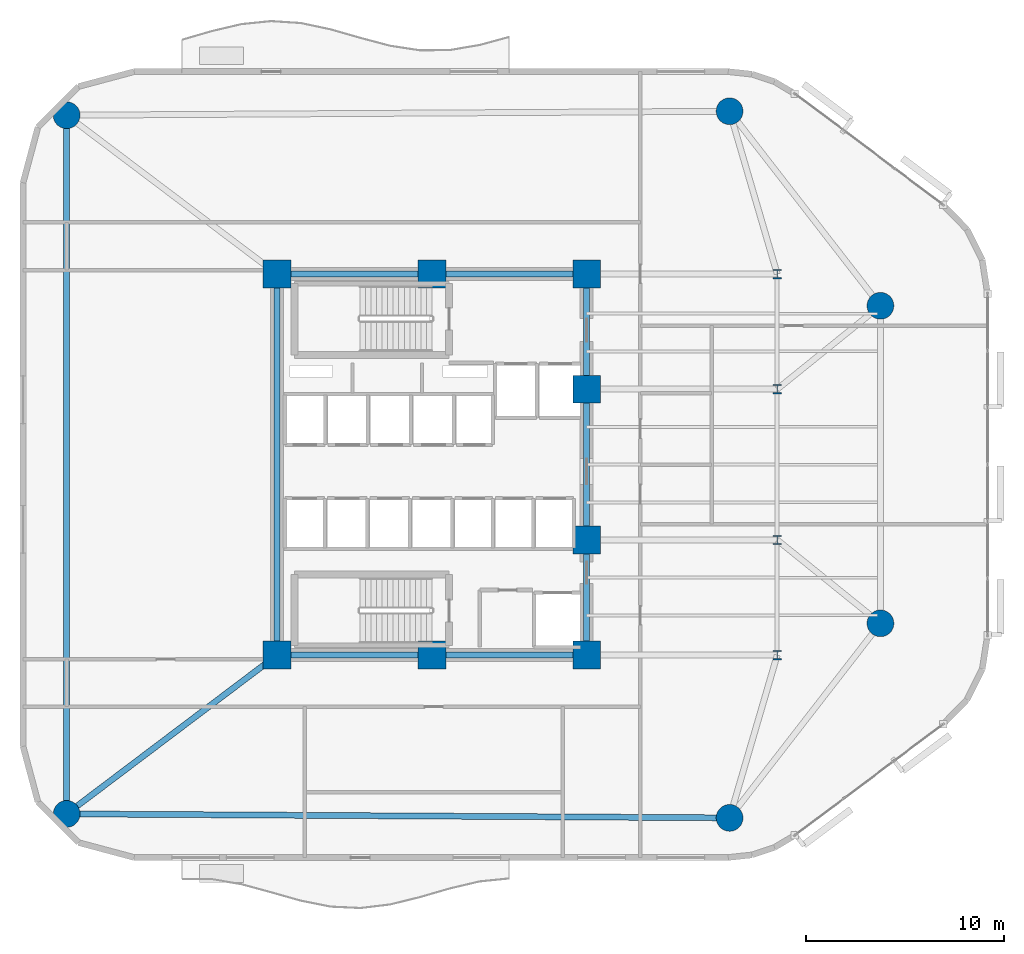
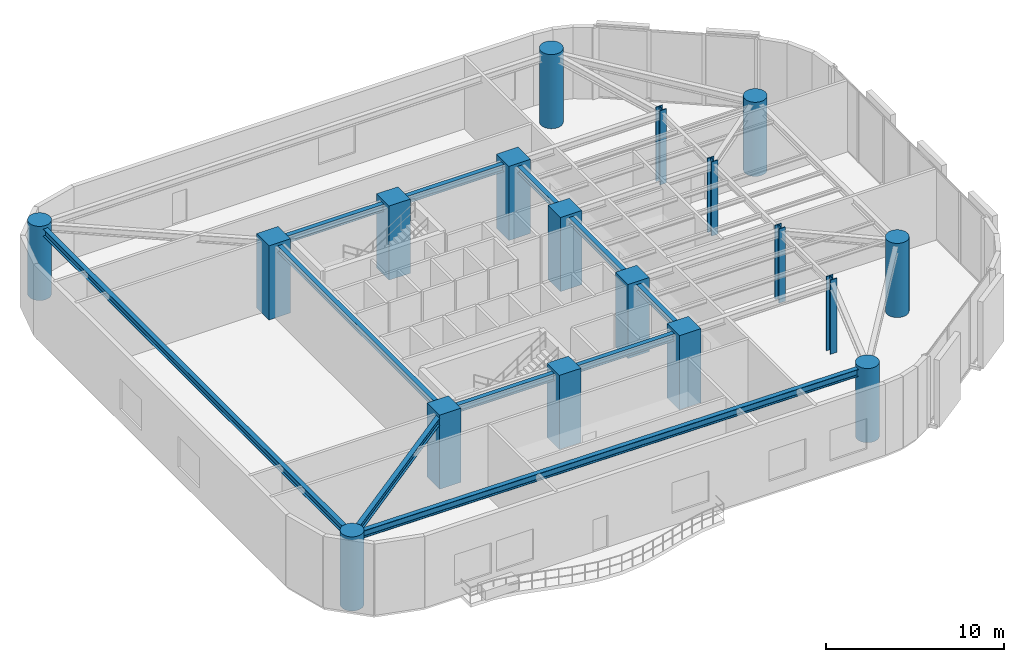
# One storey, part 1 of 14: 18 columns, 9 beams.
"""IFC4 building model written with IfcOpenShell, lengths in metres."""

from ifc_helpers import new_model, si_unit, direction, frame, origin, origin_2d, place, context, subcontext, project, spatial, rectangle, circle, i_section, extrude, material, material_profile, profile_set, type_object, element, save


model = new_model("IFC4")

# Units and contexts
model_context = context("Model", 3, precision=1e-05, world=origin(), true_north=direction((0.0, 1.0)))
body_context = subcontext(model_context, "Body", "Model", "MODEL_VIEW")
ifc_project = project(units=[si_unit("LENGTHUNIT", "METRE"), si_unit("AREAUNIT", "SQUARE_METRE"), si_unit("VOLUMEUNIT", "CUBIC_METRE"), si_unit("PLANEANGLEUNIT", "RADIAN"), si_unit("MASSUNIT", "GRAM", prefix="KILO")], contexts=[model_context])

# Site, building, storey
site_placement = place(None, origin())
site = spatial("IfcSite", under=ifc_project, at=site_placement, CompositionType="ELEMENT")
building_placement = place(site_placement, origin())
building = spatial("IfcBuilding", under=site, at=building_placement, Name="An Khanh Terracotta Commons", CompositionType="ELEMENT")
storey_placement = place(building_placement, frame((0.0, 0.0, 81.199951171875)))
storey = spatial("IfcBuildingStorey", under=building, at=storey_placement, Name="L21", CompositionType="ELEMENT", Elevation=81.199951171875)

# Columns
ifc_material_1 = material(Name="Concrete C70/85", Category="concrete")
ifc_material_profile_1 = material_profile(ifc_material_1, circle(Radius=0.675048828125, at=origin_2d()), Name="CFST1350")
ifc_profile_set_1 = profile_set([ifc_material_profile_1], Name="Concrete C70/85")
column_type_1 = type_object("IfcColumnType", Name="COL-CFST1350", PredefinedType="COLUMN", material=ifc_profile_set_1)
for number, where, z_axis, x_axis, name in (
    (1, (11.0, 6.39990234375, 0.0), (0.0, 0.0, 1.0), (1.0, 0.0, 0.0), "L21 Perimeter CFST Mega-Column MC-01"),
    (2, (44.39990234375, 6.199951171875, 0.0), (0.0, 0.0, 1.0), (1.0, 0.0, 0.0), "L21 Perimeter CFST Mega-Column MC-02"),
    (3, (52.0, 16.0, 0.0), (0.0, 0.0, 1.0), (1.0, 0.0, 0.0), "L21 Perimeter CFST Mega-Column MC-03"),
    (4, (52.0, 32.0, 0.0), (0.0, 0.0, 1.0), (1.0, 0.0, 0.0), "L21 Perimeter CFST Mega-Column MC-04"),
    (5, (44.39990234375, 41.800048828125, 0.0), (0.0, 0.0, 1.0), (1.0, 0.0, 0.0), "L21 Perimeter CFST Mega-Column MC-05"),
    (6, (11.0, 41.60009765625, 0.0), (0.0, 0.0, 1.0), (1.0, 0.0, 0.0), "L21 Perimeter CFST Mega-Column MC-06"),
):
    element("IfcColumn", number, at=place(storey_placement, frame(where, z_axis=z_axis, x_axis=x_axis)), inside=storey, type_object=column_type_1, Name=name, PredefinedType="COLUMN", context=body_context, shape_type="SweptSolid", body=[
        extrude(circle(Radius=0.675048828125, at=origin_2d()), origin(), (0.0, 0.0, 1.0), 5.10009765625),
    ])
ifc_material_2 = material(Name="Steel S460ML", Category="steel")
ifc_material_profile_2 = material_profile(ifc_material_2, i_section(OverallWidth=0.4169921875, OverallDepth=0.47705078125, WebThickness=0.035888671875, FlangeThickness=0.057373046875, FilletRadius=0.014892578125, at=origin_2d()), Name="HD400x463")
ifc_profile_set_2 = profile_set([ifc_material_profile_2], Name="Steel S460ML")
column_type_2 = type_object("IfcColumnType", Name="COL-HD400x463", PredefinedType="COLUMN", material=ifc_profile_set_2)
for number, where, z_axis, x_axis, name in (
    (7, (46.800048828125, 14.39990234375, 0.0), (0.0, 0.0, 1.0), (1.0, 0.0, 0.0), "L21 Interior Frame Column TC-01"),
    (8, (46.800048828125, 20.199951171875, 0.0), (0.0, 0.0, 1.0), (1.0, 0.0, 0.0), "L21 Interior Frame Column TC-02"),
    (9, (46.800048828125, 27.800048828125, 0.0), (0.0, 0.0, 1.0), (1.0, 0.0, 0.0), "L21 Interior Frame Column TC-03"),
    (10, (46.800048828125, 33.60009765625, 0.0), (0.0, 0.0, 1.0), (1.0, 0.0, 0.0), "L21 Interior Frame Column TC-04"),
):
    element("IfcColumn", number, at=place(storey_placement, frame(where, z_axis=z_axis, x_axis=x_axis)), inside=storey, type_object=column_type_2, Name=name, PredefinedType="COLUMN", context=body_context, shape_type="SweptSolid", body=[
        extrude(i_section(OverallWidth=0.4169921875, OverallDepth=0.47705078125, WebThickness=0.035888671875, FlangeThickness=0.057373046875, FilletRadius=0.014892578125, at=origin_2d()), origin(), (0.0, 0.0, 1.0), 5.10009765625),
    ])
ifc_material_profile_3 = material_profile(ifc_material_1, rectangle(XDim=1.39990234375, YDim=1.39990234375, at=origin_2d()), Name="RC1400x1400")
ifc_profile_set_3 = profile_set([ifc_material_profile_3], Name="Concrete C70/85")
column_type_3 = type_object("IfcColumnType", Name="COL-RC1400x1400", PredefinedType="COLUMN", material=ifc_profile_set_3)
for number, where, z_axis, x_axis, name in (
    (11, (21.60009765625, 14.39990234375, 0.0), (0.0, 0.0, 1.0), (1.0, 0.0, 0.0), "L21 Core Boundary Column CC-01"),
    (12, (29.39990234375, 14.39990234375, 0.0), (0.0, 0.0, 1.0), (1.0, 0.0, 0.0), "L21 Core Boundary Column CC-02"),
    (13, (37.199951171875, 14.39990234375, 0.0), (0.0, 0.0, 1.0), (1.0, 0.0, 0.0), "L21 Core Boundary Column CC-03"),
    (14, (37.199951171875, 20.199951171875, 0.0), (0.0, 0.0, 1.0), (1.0, 0.0, 0.0), "L21 Core Boundary Column CC-04"),
    (15, (37.199951171875, 27.800048828125, 0.0), (0.0, 0.0, 1.0), (1.0, 0.0, 0.0), "L21 Core Boundary Column CC-05"),
    (16, (37.199951171875, 33.60009765625, 0.0), (0.0, 0.0, 1.0), (1.0, 0.0, 0.0), "L21 Core Boundary Column CC-06"),
    (17, (29.39990234375, 33.60009765625, 0.0), (0.0, 0.0, 1.0), (1.0, 0.0, 0.0), "L21 Core Boundary Column CC-07"),
    (18, (21.60009765625, 33.60009765625, 0.0), (0.0, 0.0, 1.0), (1.0, 0.0, 0.0), "L21 Core Boundary Column CC-08"),
):
    element("IfcColumn", number, at=place(storey_placement, frame(where, z_axis=z_axis, x_axis=x_axis)), inside=storey, type_object=column_type_3, Name=name, PredefinedType="COLUMN", context=body_context, shape_type="SweptSolid", body=[
        extrude(rectangle(XDim=1.39990234375, YDim=1.39990234375, at=origin_2d()), origin(), (0.0, 0.0, 1.0), 5.10009765625),
    ])

# Beams
ifc_material_3 = material(Name="Steel S355J2", Category="steel")
ifc_material_profile_4 = material_profile(ifc_material_3, i_section(OverallWidth=0.300048828125, OverallDepth=0.449951171875, WebThickness=0.013916015625, FlangeThickness=0.02587890625, FilletRadius=0.027099609375, at=origin_2d()), Name="HEB450")
ifc_profile_set_4 = profile_set([ifc_material_profile_4], Name="Steel S355J2")
beam_type_1 = type_object("IfcBeamType", Name="BM-HEB450", PredefinedType="BEAM", material=ifc_profile_set_4)
beam_1_placement = place(storey_placement, frame((37.199951171875, 14.39990234375, 4.675048828125), z_axis=(0.0, 1.0, 0.0), x_axis=(-1.0, 0.0, 0.0)))
element("IfcBeam", 19, at=beam_1_placement, inside=storey, type_object=beam_type_1, Name="L21 Core East Coupling Girder 1", PredefinedType="BEAM", context=body_context, shape_type="SweptSolid", body=[
    extrude(i_section(OverallWidth=0.300048828125, OverallDepth=0.449951171875, WebThickness=0.013916015625, FlangeThickness=0.02587890625, FilletRadius=0.027099609375, at=origin_2d()), origin(), (0.0, 0.0, 1.0), 5.800048828125),
])
beam_2_placement = place(storey_placement, frame((37.199951171875, 20.199951171875, 4.675048828125), z_axis=(0.0, 1.0, 0.0), x_axis=(-1.0, 0.0, 0.0)))
element("IfcBeam", 20, at=beam_2_placement, inside=storey, type_object=beam_type_1, Name="L21 Core East Coupling Girder 2", PredefinedType="BEAM", context=body_context, shape_type="SweptSolid", body=[
    extrude(i_section(OverallWidth=0.300048828125, OverallDepth=0.449951171875, WebThickness=0.013916015625, FlangeThickness=0.02587890625, FilletRadius=0.027099609375, at=origin_2d()), origin(), (0.0, 0.0, 1.0), 7.60009765625),
])
beam_3_placement = place(storey_placement, frame((37.199951171875, 27.800048828125, 4.675048828125), z_axis=(0.0, 1.0, 0.0), x_axis=(-1.0, 0.0, 0.0)))
element("IfcBeam", 21, at=beam_3_placement, inside=storey, type_object=beam_type_1, Name="L21 Core East Coupling Girder 3", PredefinedType="BEAM", context=body_context, shape_type="SweptSolid", body=[
    extrude(i_section(OverallWidth=0.300048828125, OverallDepth=0.449951171875, WebThickness=0.013916015625, FlangeThickness=0.02587890625, FilletRadius=0.027099609375, at=origin_2d()), origin(), (0.0, 0.0, 1.0), 5.800048828125),
])
beam_4_placement = place(storey_placement, frame((21.60009765625, 14.39990234375, 4.675048828125), z_axis=(0.0, 1.0, 0.0), x_axis=(-1.0, 0.0, 0.0)))
element("IfcBeam", 22, at=beam_4_placement, inside=storey, type_object=beam_type_1, Name="L21 Core West Coupling Girder", PredefinedType="BEAM", context=body_context, shape_type="SweptSolid", body=[
    extrude(i_section(OverallWidth=0.300048828125, OverallDepth=0.449951171875, WebThickness=0.013916015625, FlangeThickness=0.02587890625, FilletRadius=0.027099609375, at=origin_2d()), origin(), (0.0, 0.0, 1.0), 19.2001953125),
])
ifc_material_profile_5 = material_profile(ifc_material_3, i_section(OverallWidth=0.300048828125, OverallDepth=0.5, WebThickness=0.014404296875, FlangeThickness=0.028076171875, FilletRadius=0.027099609375, at=origin_2d()), Name="HEB500")
ifc_profile_set_5 = profile_set([ifc_material_profile_5], Name="Steel S355J2")
beam_type_2 = type_object("IfcBeamType", Name="BM-HEB500", PredefinedType="BEAM", material=ifc_profile_set_5)
for number, where, z_axis, x_axis, name in (
    (23, (21.60009765625, 14.39990234375, 4.650146484375), (1.0, 0.0, 0.0), (0.0, 1.0, 0.0), "L21 Core South Coupling Girder"),
    (24, (21.60009765625, 33.60009765625, 4.650146484375), (1.0, 0.0, 0.0), (0.0, 1.0, 0.0), "L21 Core North Coupling Girder"),
):
    element("IfcBeam", number, at=place(storey_placement, frame(where, z_axis=z_axis, x_axis=x_axis)), inside=storey, type_object=beam_type_2, Name=name, PredefinedType="BEAM", context=body_context, shape_type="SweptSolid", body=[
        extrude(i_section(OverallWidth=0.300048828125, OverallDepth=0.5, WebThickness=0.014404296875, FlangeThickness=0.028076171875, FilletRadius=0.027099609375, at=origin_2d()), origin(), (0.0, 0.0, 1.0), 15.599853515625),
    ])
beam_5_placement = place(storey_placement, frame((11.0, 6.39990234375, 4.650146484375), z_axis=(0.999982080914, -0.005986472262, 0.0), x_axis=(0.005986472262, 0.999982080914, 0.0)))
element("IfcBeam", 25, at=beam_5_placement, inside=storey, type_object=beam_type_2, Name="L21 Perimeter Ring Spandrel 1", PredefinedType="BEAM", context=body_context, shape_type="SweptSolid", body=[
    extrude(i_section(OverallWidth=0.300048828125, OverallDepth=0.5, WebThickness=0.014404296875, FlangeThickness=0.028076171875, FilletRadius=0.027099609375, at=origin_2d()), origin(), (0.0, 0.0, 1.0), 33.400390625),
])
beam_6_placement = place(storey_placement, frame((11.0, 41.60009765625, 4.650146484375), z_axis=(0.0, -1.0, 0.0), x_axis=(1.0, 0.0, 0.0)))
element("IfcBeam", 26, at=beam_6_placement, inside=storey, type_object=beam_type_2, Name="L21 Perimeter Ring Spandrel 6", PredefinedType="BEAM", context=body_context, shape_type="SweptSolid", body=[
    extrude(i_section(OverallWidth=0.300048828125, OverallDepth=0.5, WebThickness=0.014404296875, FlangeThickness=0.028076171875, FilletRadius=0.027099609375, at=origin_2d()), origin(), (0.0, 0.0, 1.0), 35.2001953125),
])
beam_7_placement = place(storey_placement, frame((11.0, 6.39990234375, 4.650146484375), z_axis=(0.798191818888, 0.602403370061, 0.0), x_axis=(-0.602403370061, 0.798191818888, 0.0)))
element("IfcBeam", 27, at=beam_7_placement, inside=storey, type_object=beam_type_2, Name="L21 Mega-Column Tie Girder 1", PredefinedType="BEAM", context=body_context, shape_type="SweptSolid", body=[
    extrude(i_section(OverallWidth=0.300048828125, OverallDepth=0.5, WebThickness=0.014404296875, FlangeThickness=0.028076171875, FilletRadius=0.027099609375, at=origin_2d()), origin(), (0.0, 0.0, 1.0), 13.280029296875),
])

save(model, "model.ifc")
